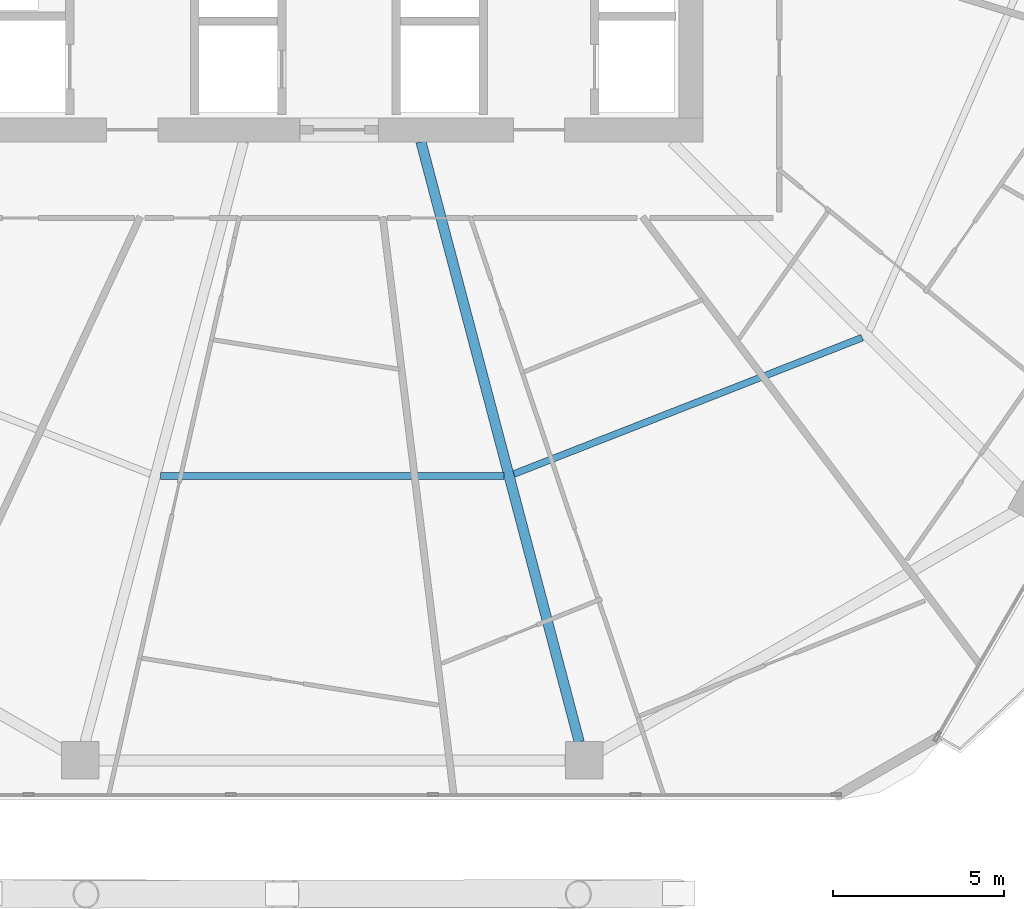
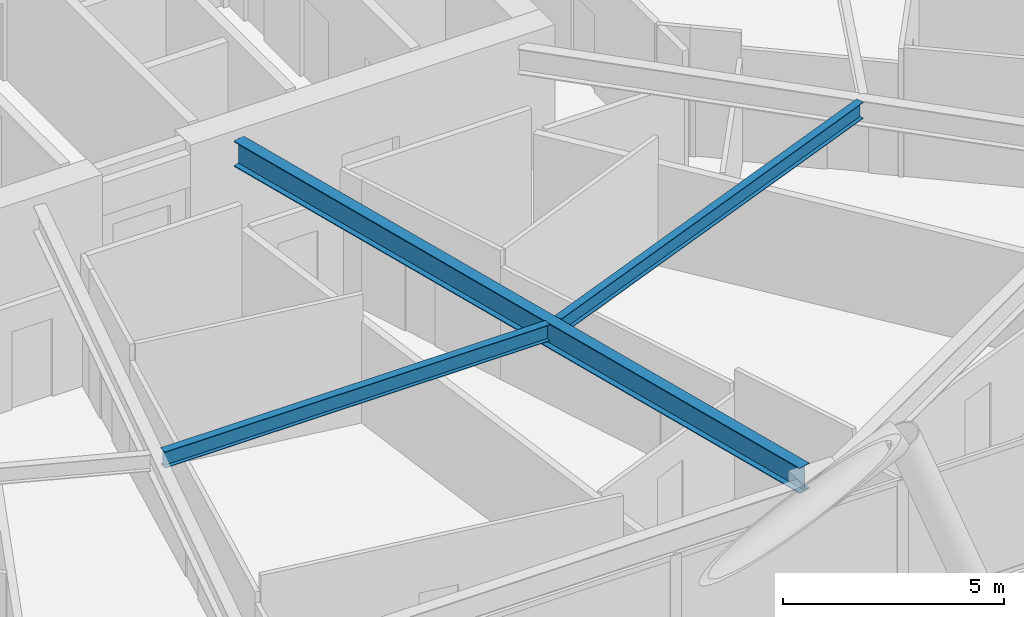
# One storey, part 9 of 36: 3 beams.
"""IFC4 building model written with IfcOpenShell, lengths in metres."""

from ifc_helpers import new_model, si_unit, direction, frame, origin, origin_2d, place, context, subcontext, project, spatial, i_section, extrude, material, material_profile, profile_set, type_object, element, save


model = new_model("IFC4")

# Units and contexts
model_context = context("Model", 3, precision=1e-05, world=origin(), true_north=direction((0.0, 1.0)))
body_context = subcontext(model_context, "Body", "Model", "MODEL_VIEW")
ifc_project = project(units=[si_unit("LENGTHUNIT", "METRE"), si_unit("AREAUNIT", "SQUARE_METRE"), si_unit("VOLUMEUNIT", "CUBIC_METRE"), si_unit("PLANEANGLEUNIT", "RADIAN"), si_unit("MASSUNIT", "GRAM", prefix="KILO")], contexts=[model_context])

# Site, building, storey
site_placement = place(None, origin())
site = spatial("IfcSite", under=ifc_project, at=site_placement, CompositionType="ELEMENT")
building_placement = place(site_placement, origin())
building = spatial("IfcBuilding", under=site, at=building_placement, Name="Zuhravey Tower", CompositionType="ELEMENT")
storey_placement = place(building_placement, frame((0.0, 0.0, 107.60009765625)))
storey = spatial("IfcBuildingStorey", under=building, at=storey_placement, Name="L26", CompositionType="ELEMENT", Elevation=107.60009765625)

# Beams
ifc_material = material(Name="Steel SM355", Category="steel")
ifc_material_profile_1 = material_profile(ifc_material, i_section(OverallWidth=0.300048828125, OverallDepth=0.699951171875, WebThickness=0.012939453125, FlangeThickness=0.02392578125, at=origin_2d()), Name="H-700x300x13x24")
ifc_profile_set_1 = profile_set([ifc_material_profile_1], Name="Steel SM355")
beam_type_1 = type_object("IfcBeamType", Name="Radial Primary Girder H700x300", PredefinedType="BEAM", material=ifc_profile_set_1)
beam_1_placement = place(storey_placement, frame((38.59814453125, 22.14697265625, 3.199951171875), z_axis=(0.25498755891, -0.966944333869, 0.0), x_axis=(0.966944333869, 0.25498755891, 0.0)))
element("IfcBeam", 1, at=beam_1_placement, inside=storey, type_object=beam_type_1, Name="L26 RG1 BM-L26-RAD-10", PredefinedType="BEAM", context=body_context, shape_type="SweptSolid", body=[
    extrude(i_section(OverallWidth=0.300048828125, OverallDepth=0.699951171875, WebThickness=0.012939453125, FlangeThickness=0.02392578125, at=origin_2d()), origin(), (0.0, 0.0, 1.0), 18.1611328125),
])
ifc_material_profile_2 = material_profile(ifc_material, i_section(OverallWidth=0.199951171875, OverallDepth=0.449951171875, WebThickness=0.009033203125, FlangeThickness=0.013916015625, at=origin_2d()), Name="H-450x200x9x14")
ifc_profile_set_2 = profile_set([ifc_material_profile_2], Name="Steel SM355")
beam_type_2 = type_object("IfcBeamType", Name="Secondary Floor Joist H450x200", PredefinedType="JOIST", material=ifc_profile_set_2)
beam_2_placement = place(storey_placement, frame((30.97900390625, 12.37548828125, 3.324951171875), z_axis=(1.0, 0.0, 0.0), x_axis=(0.0, 1.0, 0.0)))
element("IfcBeam", 2, at=beam_2_placement, inside=storey, type_object=beam_type_2, Name="L26 SJ1 BM-L26-SJ-09-1", PredefinedType="JOIST", context=body_context, shape_type="SweptSolid", body=[
    extrude(i_section(OverallWidth=0.199951171875, OverallDepth=0.449951171875, WebThickness=0.009033203125, FlangeThickness=0.013916015625, at=origin_2d()), origin(), (0.0, 0.0, 1.0), 10.0419921875),
])
beam_3_placement = place(storey_placement, frame((41.318359375, 12.431640625, 3.324951171875), z_axis=(0.931216764731, 0.364465824302, 0.0), x_axis=(-0.364465824302, 0.931216764731, 0.0)))
element("IfcBeam", 3, at=beam_3_placement, inside=storey, type_object=beam_type_2, Name="L26 SJ1 BM-L26-SJ-10-1", PredefinedType="JOIST", context=body_context, shape_type="SweptSolid", body=[
    extrude(i_section(OverallWidth=0.199951171875, OverallDepth=0.449951171875, WebThickness=0.009033203125, FlangeThickness=0.013916015625, at=origin_2d()), origin(), (0.0, 0.0, 1.0), 10.939453125),
])

save(model, "model.ifc")
